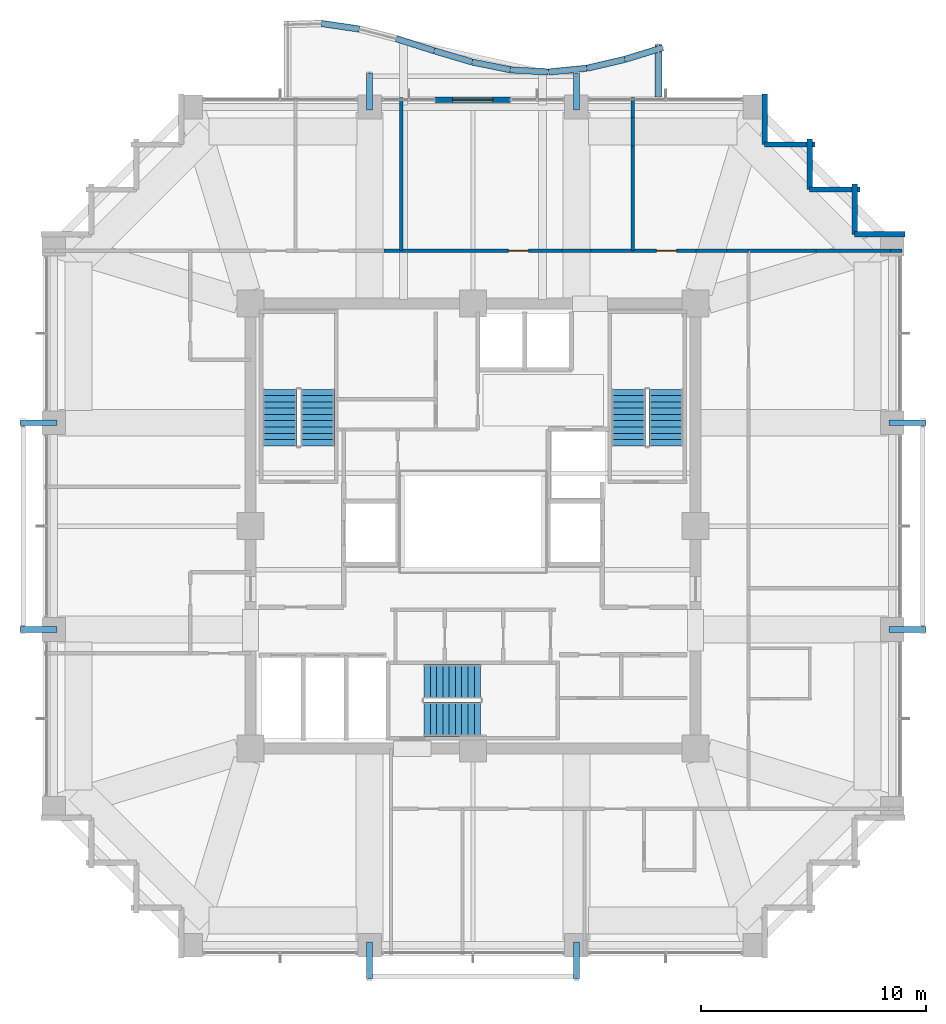
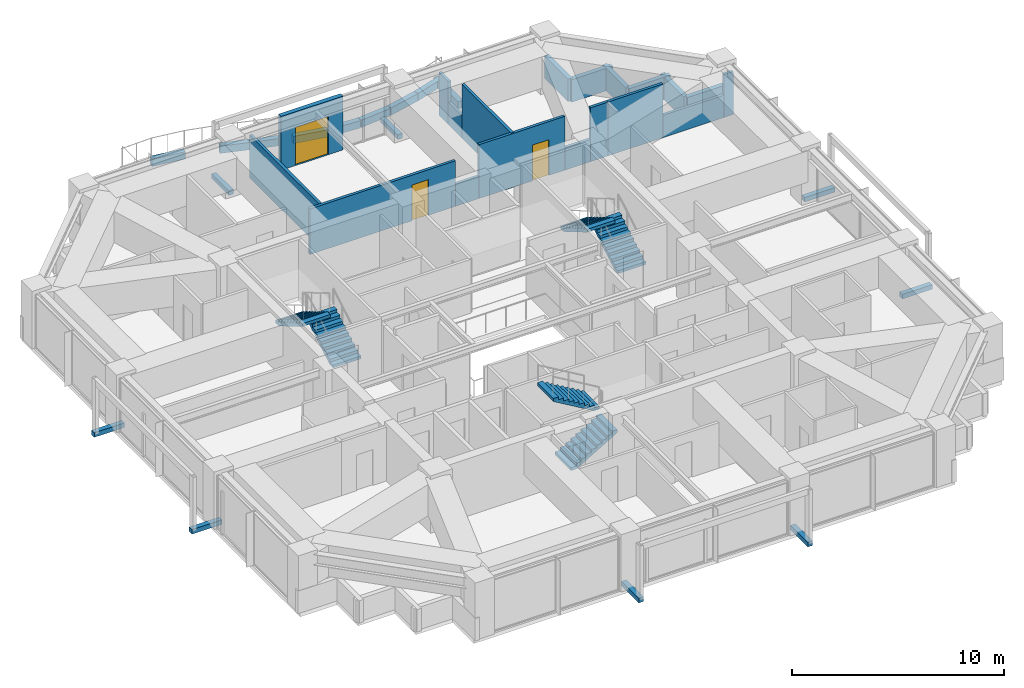
# One storey, part 27 of 28: 28 walls, 8 discrete accessories, 6 stair flights, 3 doors, 3 openings, 3 elements without a shape of their own.
"""IFC4 building model written with IfcOpenShell, lengths in metres."""

from ifc_helpers import new_model, si_unit, direction, frame, frame_2d, origin, origin_2d, place, context, subcontext, project, spatial, polyline, rectangle, outline, extrude, material, layer, layer_set, type_object, element, fill, aggregate, save


model = new_model("IFC4")

# Units and contexts
model_context = context("Model", 3, precision=1e-05, world=origin(), true_north=direction((0.0, 1.0)))
body_context = subcontext(model_context, "Body", "Model", "MODEL_VIEW")
ifc_project = project(units=[si_unit("LENGTHUNIT", "METRE"), si_unit("AREAUNIT", "SQUARE_METRE"), si_unit("VOLUMEUNIT", "CUBIC_METRE"), si_unit("PLANEANGLEUNIT", "RADIAN"), si_unit("MASSUNIT", "GRAM", prefix="KILO")], contexts=[model_context])

# Site, building, storey
site_placement = place(None, origin())
site = spatial("IfcSite", under=ifc_project, at=site_placement, CompositionType="ELEMENT")
building_placement = place(site_placement, origin())
building = spatial("IfcBuilding", under=site, at=building_placement, Name="Kolvaren Belvedere", CompositionType="ELEMENT")
storey_placement = place(building_placement, frame((0.0, 0.0, 125.0)))
storey = spatial("IfcBuildingStorey", under=building, at=storey_placement, Name="L36", CompositionType="ELEMENT", Elevation=125.0)

# Wall, opening, door
ifc_material_1 = material(Name="Gypsum fire-rated partition assembly", Category="gypsum")
ifc_layer_1 = layer(ifc_material_1, 0.14990234375)
ifc_layer_set_1 = layer_set([ifc_layer_1], Name="Gypsum fire-rated partition assembly")
wall_type_1 = type_object("IfcWallType", Name="WL-CORR-150", PredefinedType="PARTITIONING", material=ifc_layer_set_1)
wall_1_placement = place(storey_placement, frame((-3.9580078125, 12.260009765625, 0.0), z_axis=(0.0, 0.0, 1.0), x_axis=(1.0, 0.0, 0.0)))
wall_1 = element("IfcWall", 1, at=wall_1_placement, inside=storey, type_object=wall_type_1, Name="L36 North Corridor Wall", PredefinedType="PARTITIONING", context=body_context, shape_type="SweptSolid", body=[
    extrude(rectangle(XDim=7.916015625, YDim=0.14990234375, at=frame_2d((3.9580078125, 0.0))), origin(), (0.0, 0.0, 1.0), 2.625),
])
opening_1_placement = place(wall_1_placement, frame((5.5380859375, 0.0, 0.0)))
opening_1 = element("IfcOpeningElement", 2, at=opening_1_placement, cuts=wall_1, Name="Opening D-INT90", PredefinedType="OPENING", context=body_context, shape_type="SweptSolid", body=[
    extrude(rectangle(XDim=0.89990234375, YDim=2.06005859375, at=frame_2d((0.449951171875, 1.030029296875))), frame((0.0, 0.0849609375, 0.0), z_axis=(0.0, -1.0, 0.0), x_axis=(1.0, 0.0, 0.0)), (0.0, 0.0, 1.0), 0.169921875),
])
ifc_material_2 = material(Name="Stained Pacific white oak", Category="timber")
door_type_1 = type_object("IfcDoorType", Name="DR-INT-900", OperationType="NOTDEFINED", PredefinedType="DOOR", material=ifc_material_2)
door_1_placement = place(opening_1_placement, origin())
door_1 = element("IfcDoor", 3, at=door_1_placement, inside=storey, type_object=door_type_1, Name="L36 Private Hospitality Meeting Room 3603 Door", OperationType="SINGLE_SWING_LEFT", OverallHeight=2.06005859375, OverallWidth=0.89990234375, PredefinedType="DOOR", context=body_context, shape_type="SweptSolid", body=[
    extrude(rectangle(XDim=0.89990234375, YDim=2.06005859375, at=frame_2d((0.449951171875, 1.030029296875))), frame((0.0, 0.02490234375, 0.0), z_axis=(0.0, -1.0, 0.0), x_axis=(1.0, 0.0, 0.0)), (0.0, 0.0, 1.0), 0.050048828125),
])
fill(opening_1, door_1)

# Wall
wall_2_placement = place(storey_placement, frame((3.9580078125, 12.260009765625, 0.0), z_axis=(0.0, 0.0, 1.0), x_axis=(1.0, 0.0, 0.0)))
element("IfcWall", 4, at=wall_2_placement, inside=storey, type_object=wall_type_1, Name="L36 North Corridor Wall", PredefinedType="PARTITIONING", context=body_context, shape_type="SweptSolid", body=[
    extrude(rectangle(XDim=1.283935546875, YDim=0.14990234375, at=frame_2d((0.64208984375, 0.0))), origin(), (0.0, 0.0, 1.0), 1.284912109375),
])

# Wall, opening, door
wall_3_placement = place(storey_placement, frame((5.241943359375, 12.260009765625, 0.0), z_axis=(0.0, 0.0, 1.0), x_axis=(1.0, 0.0, 0.0)))
wall_3 = element("IfcWall", 5, at=wall_3_placement, inside=storey, type_object=wall_type_1, Name="L36 North Corridor Wall", PredefinedType="PARTITIONING", context=body_context, shape_type="SweptSolid", body=[
    extrude(rectangle(XDim=4.677001953125, YDim=0.14990234375, at=frame_2d((2.33837890625, 0.0))), origin(), (0.0, 0.0, 1.0), 3.10009765625),
])
opening_2_placement = place(wall_3_placement, frame((2.914794921875, 0.0, 0.0)))
opening_2 = element("IfcOpeningElement", 6, at=opening_2_placement, cuts=wall_3, Name="Opening D-INT90", PredefinedType="OPENING", context=body_context, shape_type="SweptSolid", body=[
    extrude(rectangle(XDim=0.89990234375, YDim=2.06005859375, at=frame_2d((0.449951171875, 1.030029296875))), frame((0.0, 0.0849609375, 0.0), z_axis=(0.0, -1.0, 0.0), x_axis=(1.0, 0.0, 0.0)), (0.0, 0.0, 1.0), 0.169921875),
])
door_2_placement = place(opening_2_placement, origin())
door_2 = element("IfcDoor", 7, at=door_2_placement, inside=storey, type_object=door_type_1, Name="L36 Lounge 3604 Door", OperationType="SINGLE_SWING_RIGHT", OverallHeight=2.06005859375, OverallWidth=0.89990234375, PredefinedType="DOOR", context=body_context, shape_type="SweptSolid", body=[
    extrude(rectangle(XDim=0.89990234375, YDim=2.06005859375, at=frame_2d((0.449951171875, 1.030029296875))), frame((0.0, 0.02490234375, 0.0), z_axis=(0.0, -1.0, 0.0), x_axis=(1.0, 0.0, 0.0)), (0.0, 0.0, 1.0), 0.050048828125),
])
fill(opening_2, door_2)

# Walls
wall_4_placement = place(storey_placement, frame((9.9189453125, 12.260009765625, 0.0), z_axis=(0.0, 0.0, 1.0), x_axis=(1.0, 0.0, 0.0)))
element("IfcWall", 8, at=wall_4_placement, inside=storey, type_object=wall_type_1, Name="L36 North Corridor Wall", PredefinedType="PARTITIONING", context=body_context, shape_type="SweptSolid", body=[
    extrude(rectangle(XDim=1.3916015625, YDim=0.14990234375, at=frame_2d((0.69580078125, 0.0))), origin(), (0.0, 0.0, 1.0), 1.284912109375),
])
wall_5_placement = place(storey_placement, frame((11.310546875, 12.260009765625, 0.0), z_axis=(0.0, 0.0, 1.0), x_axis=(1.0, 0.0, 0.0)))
element("IfcWall", 9, at=wall_5_placement, inside=storey, type_object=wall_type_1, Name="L36 North Corridor Wall", PredefinedType="PARTITIONING", context=body_context, shape_type="SweptSolid", body=[
    extrude(rectangle(XDim=0.949462890625, YDim=0.14990234375, at=frame_2d((0.474609375, 0.0))), origin(), (0.0, 0.0, 1.0), 3.10009765625),
])
ifc_material_3 = material(Name="Insulated pale-metal facade wall assembly", Category="aluminium")
ifc_layer_2 = layer(ifc_material_3, 0.239990234375)
ifc_layer_set_2 = layer_set([ifc_layer_2], Name="Insulated pale-metal facade wall assembly")
wall_type_2 = type_object("IfcWallType", Name="WL-EXT-240", PredefinedType="STANDARD", material=ifc_layer_set_2)
for number, where, z_axis, x_axis, name in (
    (10, (16.97998046875, 12.97998046875, 0.0), (0.0, 0.0, 1.0), (1.0, 0.0, 0.0), "L36 Serrated Corner Facade Wall 9"),
    (11, (16.97998046875, 15.219970703125, 0.0), (0.0, 0.0, 1.0), (0.0, -1.0, 0.0), "L36 Serrated Corner Facade Wall 10"),
    (12, (14.97998046875, 14.97998046875, 0.0), (0.0, 0.0, 1.0), (1.0, 0.0, 0.0), "L36 Serrated Corner Facade Wall 11"),
    (13, (14.97998046875, 17.219970703125, 0.0), (0.0, 0.0, 1.0), (0.0, -1.0, 0.0), "L36 Serrated Corner Facade Wall 12"),
    (14, (12.97998046875, 16.97998046875, 0.0), (0.0, 0.0, 1.0), (1.0, 0.0, 0.0), "L36 Serrated Corner Facade Wall 13"),
    (15, (12.97998046875, 19.219970703125, 0.0), (0.0, 0.0, 1.0), (0.0, -1.0, 0.0), "L36 Serrated Corner Facade Wall 14"),
):
    element("IfcWall", number, at=place(storey_placement, frame(where, z_axis=z_axis, x_axis=x_axis)), inside=storey, type_object=wall_type_2, Name=name, PredefinedType="STANDARD", context=body_context, shape_type="SweptSolid", body=[
        extrude(rectangle(XDim=2.239990234375, YDim=0.239990234375, at=frame_2d((1.1201171875, 0.0))), origin(), (0.0, 0.0, 1.0), 1.294921875),
    ])

# Wall, opening, door
wall_6_placement = place(storey_placement, frame((-1.679931640625, 18.97998046875, 0.0), z_axis=(0.0, 0.0, 1.0), x_axis=(1.0, 0.0, 0.0)))
wall_6 = element("IfcWall", 16, at=wall_6_placement, inside=storey, type_object=wall_type_2, Name="L36 North Terrace Portal Wall", PredefinedType="STANDARD", context=body_context, shape_type="SweptSolid", body=[
    extrude(rectangle(XDim=3.35986328125, YDim=0.239990234375, at=frame_2d((1.679931640625, 0.0))), origin(), (0.0, 0.0, 1.0), 3.10009765625),
])
opening_3_placement = place(wall_6_placement, frame((0.780029296875, 0.0, 0.0)))
opening_3 = element("IfcOpeningElement", 17, at=opening_3_placement, cuts=wall_6, Name="Opening DB-1800", PredefinedType="OPENING", context=body_context, shape_type="SweptSolid", body=[
    extrude(rectangle(XDim=1.800048828125, YDim=2.199951171875, at=frame_2d((0.89990234375, 1.10009765625))), frame((0.0, 0.1298828125, 0.0), z_axis=(0.0, -1.0, 0.0), x_axis=(1.0, 0.0, 0.0)), (0.0, 0.0, 1.0), 0.260009765625),
])
ifc_material_4 = material(Name="Thermally broken pale-metal aluminium & low-iron glass", Category="aluminium")
door_type_2 = type_object("IfcDoorType", Name="DR-BAL-1800", OperationType="DOUBLE_DOOR_SLIDING", PredefinedType="DOOR", material=ifc_material_4)
door_3_placement = place(opening_3_placement, origin())
door_3 = element("IfcDoor", 18, at=door_3_placement, inside=storey, type_object=door_type_2, Name="L36 North Planted Terrace Sliding Door", OperationType="DOUBLE_DOOR_SLIDING", OverallHeight=2.199951171875, OverallWidth=1.800048828125, PredefinedType="DOOR", context=body_context, shape_type="SweptSolid", body=[
    extrude(rectangle(XDim=1.800048828125, YDim=2.199951171875, at=frame_2d((0.89990234375, 1.10009765625))), frame((0.0, 0.02490234375, 0.0), z_axis=(0.0, -1.0, 0.0), x_axis=(1.0, 0.0, 0.0)), (0.0, 0.0, 1.0), 0.050048828125),
])
fill(opening_3, door_3)

# Walls
ifc_material_5 = material(Name="Gypsum acoustic partition assembly", Category="gypsum")
ifc_layer_3 = layer(ifc_material_5, 0.14990234375)
ifc_layer_set_3 = layer_set([ifc_layer_3], Name="Gypsum acoustic partition assembly")
wall_type_3 = type_object("IfcWallType", Name="WL-PART-150", PredefinedType="PARTITIONING", material=ifc_layer_set_3)
wall_7_placement = place(storey_placement, frame((12.260009765625, 12.260009765625, 0.0), z_axis=(0.0, 0.0, 1.0), x_axis=(1.0, 0.0, 0.0)))
element("IfcWall", 19, at=wall_7_placement, inside=storey, type_object=wall_type_3, Name="L36 Wing Divider PW-L36-QNE", PredefinedType="PARTITIONING", context=body_context, shape_type="SweptSolid", body=[
    extrude(rectangle(XDim=3.00390625, YDim=0.14990234375, at=frame_2d((1.501953125, 0.0))), origin(), (0.0, 0.0, 1.0), 3.10009765625),
])
wall_8_placement = place(storey_placement, frame((15.263916015625, 12.260009765625, 0.0), z_axis=(0.0, 0.0, 1.0), x_axis=(1.0, 0.0, 0.0)))
element("IfcWall", 20, at=wall_8_placement, inside=storey, type_object=wall_type_3, Name="L36 Wing Divider PW-L36-QNE", PredefinedType="PARTITIONING", context=body_context, shape_type="SweptSolid", body=[
    extrude(rectangle(XDim=3.310791015625, YDim=0.14990234375, at=frame_2d((1.6552734375, 0.0))), origin(), (0.0, 0.0, 1.0), 1.284912109375),
])
wall_9_placement = place(storey_placement, frame((18.57470703125, 12.260009765625, 0.0), z_axis=(0.0, 0.0, 1.0), x_axis=(1.0, 0.0, 0.0)))
element("IfcWall", 21, at=wall_9_placement, inside=storey, type_object=wall_type_3, Name="L36 Wing Divider PW-L36-QNE", PredefinedType="PARTITIONING", context=body_context, shape_type="SweptSolid", body=[
    extrude(rectangle(XDim=0.50537109375, YDim=0.14990234375, at=frame_2d((0.252685546875, 0.0))), origin(), (0.0, 0.0, 1.0), 2.468994140625),
])
wall_10_placement = place(storey_placement, frame((-3.196044921875, 12.260009765625, 0.0), z_axis=(0.0, 0.0, 1.0), x_axis=(0.0, 1.0, 0.0)))
element("IfcWall", 22, at=wall_10_placement, inside=storey, type_object=wall_type_3, Name="L36 North Suite Demising Wall 2", PredefinedType="PARTITIONING", context=body_context, shape_type="SweptSolid", body=[
    extrude(rectangle(XDim=6.820068359375, YDim=0.14990234375, at=frame_2d((3.41015625, 0.0))), origin(), (0.0, 0.0, 1.0), 2.468994140625),
])
wall_11_placement = place(storey_placement, frame((7.10400390625, 12.260009765625, 0.0), z_axis=(0.0, 0.0, 1.0), x_axis=(0.0, 1.0, 0.0)))
element("IfcWall", 23, at=wall_11_placement, inside=storey, type_object=wall_type_3, Name="L36 North Suite Demising Wall 3", PredefinedType="PARTITIONING", context=body_context, shape_type="SweptSolid", body=[
    extrude(rectangle(XDim=4.64794921875, YDim=0.14990234375, at=frame_2d((2.323974609375, 0.0))), origin(), (0.0, 0.0, 1.0), 3.10009765625),
])
wall_12_placement = place(storey_placement, frame((7.10400390625, 16.907958984375, 0.0), z_axis=(0.0, 0.0, 1.0), x_axis=(0.0, 1.0, 0.0)))
element("IfcWall", 24, at=wall_12_placement, inside=storey, type_object=wall_type_3, Name="L36 North Suite Demising Wall 3", PredefinedType="PARTITIONING", context=body_context, shape_type="SweptSolid", body=[
    extrude(rectangle(XDim=1.283935546875, YDim=0.14990234375, at=frame_2d((0.64208984375, 0.0))), origin(), (0.0, 0.0, 1.0), 1.284912109375),
])
wall_13_placement = place(storey_placement, frame((7.10400390625, 18.19189453125, 0.0), z_axis=(0.0, 0.0, 1.0), x_axis=(0.0, 1.0, 0.0)))
element("IfcWall", 25, at=wall_13_placement, inside=storey, type_object=wall_type_3, Name="L36 North Suite Demising Wall 3", PredefinedType="PARTITIONING", context=body_context, shape_type="SweptSolid", body=[
    extrude(rectangle(XDim=0.88818359375, YDim=0.14990234375, at=frame_2d((0.444091796875, 0.0))), origin(), (0.0, 0.0, 1.0), 2.468994140625),
])
ifc_material_6 = material(Name="Precast concrete C40/50", Category="concrete")
ifc_layer_4 = layer(ifc_material_6, 0.300048828125)
ifc_layer_set_4 = layer_set([ifc_layer_4], Name="Precast concrete C40/50")
wall_type_4 = type_object("IfcWallType", Name="WL-PLANTER-300", PredefinedType="PARAPET", material=ifc_layer_set_4)
wall_14_placement = place(storey_placement, frame((8.239990234375, 19.10009765625, -0.0400390625), z_axis=(0.0, 0.0, 1.0), x_axis=(0.0, 1.0, 0.0)))
element("IfcWall", 26, at=wall_14_placement, inside=storey, type_object=wall_type_4, Name="L36 Precast Structural Planter Wall BAL-N-11", PredefinedType="PARAPET", context=body_context, shape_type="SweptSolid", body=[
    extrude(rectangle(XDim=2.33984375, YDim=0.280029296875, at=frame_2d((1.169921875, 0.0))), origin(), (0.0, 0.0, 1.0), 0.419921875),
])
wall_15_placement = place(storey_placement, frame((8.447265625, 21.287109375, -0.0400390625), z_axis=(0.0, 0.0, 1.0), x_axis=(-0.95524013163, -0.295831524561, 0.0)))
element("IfcWall", 27, at=wall_15_placement, inside=storey, type_object=wall_type_4, Name="L36 Precast Structural Planter Wall BAL-N-12", PredefinedType="PARAPET", context=body_context, shape_type="SweptSolid", body=[
    extrude(rectangle(XDim=1.758544921875, YDim=0.280029296875, at=frame_2d((0.87939453125, 0.0))), origin(), (0.0, 0.0, 1.0), 0.419921875),
])
wall_16_placement = place(storey_placement, frame((6.75634765625, 20.763916015625, -0.0400390625), z_axis=(0.0, 0.0, 1.0), x_axis=(-0.973890253884, -0.227019323824, 0.0)))
element("IfcWall", 28, at=wall_16_placement, inside=storey, type_object=wall_type_4, Name="L36 Precast Structural Planter Wall BAL-N-13", PredefinedType="PARAPET", context=body_context, shape_type="SweptSolid", body=[
    extrude(rectangle(XDim=1.724853515625, YDim=0.280029296875, at=frame_2d((0.8623046875, 0.0))), origin(), (0.0, 0.0, 1.0), 0.419921875),
])
wall_17_placement = place(storey_placement, frame((5.0556640625, 20.368896484375, -0.0400390625), z_axis=(0.0, 0.0, 1.0), x_axis=(-0.995152499202, -0.098343801694, 0.0)))
element("IfcWall", 29, at=wall_17_placement, inside=storey, type_object=wall_type_4, Name="L36 Precast Structural Planter Wall BAL-N-14", PredefinedType="PARAPET", context=body_context, shape_type="SweptSolid", body=[
    extrude(rectangle(XDim=1.688232421875, YDim=0.280029296875, at=frame_2d((0.84423828125, 0.0))), origin(), (0.0, 0.0, 1.0), 0.419921875),
])
wall_18_placement = place(storey_placement, frame((3.350341796875, 20.202392578125, -0.0400390625), z_axis=(0.0, 0.0, 1.0), x_axis=(-0.998212296378, 0.059767979379, 0.0)))
element("IfcWall", 30, at=wall_18_placement, inside=storey, type_object=wall_type_4, Name="L36 Precast Structural Planter Wall BAL-N-15", PredefinedType="PARAPET", context=body_context, shape_type="SweptSolid", body=[
    extrude(rectangle(XDim=1.682861328125, YDim=0.280029296875, at=frame_2d((0.84130859375, 0.0))), origin(), (0.0, 0.0, 1.0), 0.419921875),
])
wall_19_placement = place(storey_placement, frame((1.64794921875, 20.305908203125, -0.0400390625), z_axis=(0.0, 0.0, 1.0), x_axis=(-0.979839912937, 0.199784246163, 0.0)))
element("IfcWall", 31, at=wall_19_placement, inside=storey, type_object=wall_type_4, Name="L36 Precast Structural Planter Wall BAL-N-16", PredefinedType="PARAPET", context=body_context, shape_type="SweptSolid", body=[
    extrude(rectangle(XDim=1.714599609375, YDim=0.280029296875, at=frame_2d((0.857421875, 0.0))), origin(), (0.0, 0.0, 1.0), 0.419921875),
])
wall_20_placement = place(storey_placement, frame((-0.045654296875, 20.65185546875, -0.0400390625), z_axis=(0.0, 0.0, 1.0), x_axis=(-0.95856309129, 0.284880325779, 0.0)))
element("IfcWall", 32, at=wall_20_placement, inside=storey, type_object=wall_type_4, Name="L36 Precast Structural Planter Wall BAL-N-17", PredefinedType="PARAPET", context=body_context, shape_type="SweptSolid", body=[
    extrude(rectangle(XDim=1.75244140625, YDim=0.280029296875, at=frame_2d((0.876220703125, 0.0))), origin(), (0.0, 0.0, 1.0), 0.419921875),
])
wall_21_placement = place(storey_placement, frame((-1.728515625, 21.152099609375, -0.0400390625), z_axis=(0.0, 0.0, 1.0), x_axis=(-0.953181954832, 0.302397356111, 0.0)))
element("IfcWall", 33, at=wall_21_placement, inside=storey, type_object=wall_type_4, Name="L36 Precast Structural Planter Wall BAL-N-18", PredefinedType="PARAPET", context=body_context, shape_type="SweptSolid", body=[
    extrude(rectangle(XDim=1.762451171875, YDim=0.280029296875, at=frame_2d((0.88134765625, 0.0))), origin(), (0.0, 0.0, 1.0), 0.419921875),
])
wall_22_placement = place(storey_placement, frame((-5.063232421875, 22.114013671875, -0.0400390625), z_axis=(0.0, 0.0, 1.0), x_axis=(-0.98929818871, 0.145907826437, 0.0)))
element("IfcWall", 34, at=wall_22_placement, inside=storey, type_object=wall_type_4, Name="L36 Precast Structural Planter Wall BAL-N-20", PredefinedType="PARAPET", context=body_context, shape_type="SweptSolid", body=[
    extrude(rectangle(XDim=1.6982421875, YDim=0.280029296875, at=frame_2d((0.84912109375, 0.0))), origin(), (0.0, 0.0, 1.0), 0.419921875),
])

# Stair, stair flights
ifc_material_7 = material(Name="Concrete C50/60", Category="concrete")
stair_type = type_object("IfcStairType", Name="ST-CORE-1520", PredefinedType="HALF_TURN_STAIR", material=ifc_material_7)
stair_1_placement = place(storey_placement, origin())
stair_1 = element("IfcStair", 35, at=stair_1_placement, inside=storey, type_object=stair_type, Name="L36 Protected Exit Stair ST-1", PredefinedType="HALF_TURN_STAIR")
ifc_material_8 = material(Name="Concrete C50/60", Category="concrete")
stair_flight_type = type_object("IfcStairFlightType", Name="SF-STR-1520", PredefinedType="STRAIGHT", material=ifc_material_8)
stair_flight_1_placement = place(storey_placement, frame((-6.919921875, 3.570068359375, 0.0), z_axis=(0.0, 0.0, 1.0), x_axis=(0.0, 1.0, 0.0)))
stair_flight_1 = element("IfcStairFlight", 36, at=stair_flight_1_placement, type_object=stair_flight_type, Name="ST-1 flight 1", NumberOfRisers=10, NumberOfTreads=9, PredefinedType="STRAIGHT", RiserHeight=0.165, TreadLength=0.28, context=body_context, shape_type="SweptSolid", body=[
    extrude(outline(polyline([(0.0, 0.0), (0.0, 0.1650390625), (0.280029296875, 0.1650390625), (0.280029296875, 0.330078125), (0.56005859375, 0.330078125), (0.56005859375, 0.4951171875), (0.840087890625, 0.4951171875), (0.840087890625, 0.659912109375), (1.1201171875, 0.659912109375), (1.1201171875, 0.824951171875), (1.39990234375, 0.824951171875), (1.39990234375, 0.989990234375), (1.679931640625, 0.989990234375), (1.679931640625, 1.155029296875), (1.9599609375, 1.155029296875), (1.9599609375, 1.320068359375), (2.239990234375, 1.320068359375), (2.239990234375, 1.485107421875), (2.52001953125, 1.485107421875), (2.52001953125, 1.64990234375), (2.52001953125, 1.31103515625), (0.295166015625, 0.0), (0.0, 0.0)])), frame((0.0, 0.760009765625, 0.0), z_axis=(0.0, -1.0, 0.0), x_axis=(1.0, 0.0, 0.0)), (0.0, 0.0, 1.0), 1.52001953125),
])
stair_flight_2_placement = place(storey_placement, frame((-8.590087890625, 6.090087890625, 1.64990234375), z_axis=(0.0, 0.0, 1.0), x_axis=(0.0, -1.0, 0.0)))
stair_flight_2 = element("IfcStairFlight", 37, at=stair_flight_2_placement, type_object=stair_flight_type, Name="ST-1 flight 2", NumberOfRisers=10, NumberOfTreads=9, PredefinedType="STRAIGHT", RiserHeight=0.165, TreadLength=0.28, context=body_context, shape_type="SweptSolid", body=[
    extrude(outline(polyline([(0.0, 0.0), (0.0, 0.1650390625), (0.280029296875, 0.1650390625), (0.280029296875, 0.330078125), (0.56005859375, 0.330078125), (0.56005859375, 0.4951171875), (0.840087890625, 0.4951171875), (0.840087890625, 0.659912109375), (1.1201171875, 0.659912109375), (1.1201171875, 0.824951171875), (1.39990234375, 0.824951171875), (1.39990234375, 0.989990234375), (1.679931640625, 0.989990234375), (1.679931640625, 1.155029296875), (1.9599609375, 1.155029296875), (1.9599609375, 1.320068359375), (2.239990234375, 1.320068359375), (2.239990234375, 1.485107421875), (2.52001953125, 1.485107421875), (2.52001953125, 1.64990234375), (2.52001953125, 1.31103515625), (0.295166015625, 0.0), (0.0, 0.0)])), frame((0.0, 0.760009765625, 0.0), z_axis=(0.0, -1.0, 0.0), x_axis=(1.0, 0.0, 0.0)), (0.0, 0.0, 1.0), 1.52001953125),
])
aggregate(stair_1, [stair_flight_1, stair_flight_2])

stair_2_placement = place(storey_placement, origin())
stair_2 = element("IfcStair", 38, at=stair_2_placement, inside=storey, type_object=stair_type, Name="L36 Protected Exit Stair ST-2", PredefinedType="HALF_TURN_STAIR")
stair_flight_3_placement = place(storey_placement, frame((8.590087890625, 3.570068359375, 0.0), z_axis=(0.0, 0.0, 1.0), x_axis=(0.0, 1.0, 0.0)))
stair_flight_3 = element("IfcStairFlight", 39, at=stair_flight_3_placement, type_object=stair_flight_type, Name="ST-2 flight 1", NumberOfRisers=10, NumberOfTreads=9, PredefinedType="STRAIGHT", RiserHeight=0.165, TreadLength=0.28, context=body_context, shape_type="SweptSolid", body=[
    extrude(outline(polyline([(0.0, 0.0), (0.0, 0.1650390625), (0.280029296875, 0.1650390625), (0.280029296875, 0.330078125), (0.56005859375, 0.330078125), (0.56005859375, 0.4951171875), (0.840087890625, 0.4951171875), (0.840087890625, 0.659912109375), (1.1201171875, 0.659912109375), (1.1201171875, 0.824951171875), (1.39990234375, 0.824951171875), (1.39990234375, 0.989990234375), (1.679931640625, 0.989990234375), (1.679931640625, 1.155029296875), (1.9599609375, 1.155029296875), (1.9599609375, 1.320068359375), (2.239990234375, 1.320068359375), (2.239990234375, 1.485107421875), (2.52001953125, 1.485107421875), (2.52001953125, 1.64990234375), (2.52001953125, 1.31103515625), (0.295166015625, 0.0), (0.0, 0.0)])), frame((0.0, 0.760009765625, 0.0), z_axis=(0.0, -1.0, 0.0), x_axis=(1.0, 0.0, 0.0)), (0.0, 0.0, 1.0), 1.52001953125),
])
stair_flight_4_placement = place(storey_placement, frame((6.919921875, 6.090087890625, 1.64990234375), z_axis=(0.0, 0.0, 1.0), x_axis=(0.0, -1.0, 0.0)))
stair_flight_4 = element("IfcStairFlight", 40, at=stair_flight_4_placement, type_object=stair_flight_type, Name="ST-2 flight 2", NumberOfRisers=10, NumberOfTreads=9, PredefinedType="STRAIGHT", RiserHeight=0.165, TreadLength=0.28, context=body_context, shape_type="SweptSolid", body=[
    extrude(outline(polyline([(0.0, 0.0), (0.0, 0.1650390625), (0.280029296875, 0.1650390625), (0.280029296875, 0.330078125), (0.56005859375, 0.330078125), (0.56005859375, 0.4951171875), (0.840087890625, 0.4951171875), (0.840087890625, 0.659912109375), (1.1201171875, 0.659912109375), (1.1201171875, 0.824951171875), (1.39990234375, 0.824951171875), (1.39990234375, 0.989990234375), (1.679931640625, 0.989990234375), (1.679931640625, 1.155029296875), (1.9599609375, 1.155029296875), (1.9599609375, 1.320068359375), (2.239990234375, 1.320068359375), (2.239990234375, 1.485107421875), (2.52001953125, 1.485107421875), (2.52001953125, 1.64990234375), (2.52001953125, 1.31103515625), (0.295166015625, 0.0), (0.0, 0.0)])), frame((0.0, 0.760009765625, 0.0), z_axis=(0.0, -1.0, 0.0), x_axis=(1.0, 0.0, 0.0)), (0.0, 0.0, 1.0), 1.52001953125),
])
aggregate(stair_2, [stair_flight_3, stair_flight_4])

stair_3_placement = place(storey_placement, origin())
stair_3 = element("IfcStair", 41, at=stair_3_placement, inside=storey, type_object=stair_type, Name="L36 Protected Exit Stair ST-3", PredefinedType="HALF_TURN_STAIR")
stair_flight_5_placement = place(storey_placement, frame((-2.179931640625, -8.590087890625, 0.0), z_axis=(0.0, 0.0, 1.0), x_axis=(1.0, 0.0, 0.0)))
stair_flight_5 = element("IfcStairFlight", 42, at=stair_flight_5_placement, type_object=stair_flight_type, Name="ST-3 flight 1", NumberOfRisers=10, NumberOfTreads=9, PredefinedType="STRAIGHT", RiserHeight=0.165, TreadLength=0.28, context=body_context, shape_type="SweptSolid", body=[
    extrude(outline(polyline([(0.0, 0.0), (0.0, 0.1650390625), (0.280029296875, 0.1650390625), (0.280029296875, 0.330078125), (0.56005859375, 0.330078125), (0.56005859375, 0.4951171875), (0.840087890625, 0.4951171875), (0.840087890625, 0.659912109375), (1.1201171875, 0.659912109375), (1.1201171875, 0.824951171875), (1.39990234375, 0.824951171875), (1.39990234375, 0.989990234375), (1.679931640625, 0.989990234375), (1.679931640625, 1.155029296875), (1.9599609375, 1.155029296875), (1.9599609375, 1.320068359375), (2.239990234375, 1.320068359375), (2.239990234375, 1.485107421875), (2.52001953125, 1.485107421875), (2.52001953125, 1.64990234375), (2.52001953125, 1.31103515625), (0.295166015625, 0.0), (0.0, 0.0)])), frame((0.0, 0.760009765625, 0.0), z_axis=(0.0, -1.0, 0.0), x_axis=(1.0, 0.0, 0.0)), (0.0, 0.0, 1.0), 1.52001953125),
])
stair_flight_6_placement = place(storey_placement, frame((0.340087890625, -6.919921875, 1.64990234375), z_axis=(0.0, 0.0, 1.0), x_axis=(-1.0, 0.0, 0.0)))
stair_flight_6 = element("IfcStairFlight", 43, at=stair_flight_6_placement, type_object=stair_flight_type, Name="ST-3 flight 2", NumberOfRisers=10, NumberOfTreads=9, PredefinedType="STRAIGHT", RiserHeight=0.165, TreadLength=0.28, context=body_context, shape_type="SweptSolid", body=[
    extrude(outline(polyline([(0.0, 0.0), (0.0, 0.1650390625), (0.280029296875, 0.1650390625), (0.280029296875, 0.330078125), (0.56005859375, 0.330078125), (0.56005859375, 0.4951171875), (0.840087890625, 0.4951171875), (0.840087890625, 0.659912109375), (1.1201171875, 0.659912109375), (1.1201171875, 0.824951171875), (1.39990234375, 0.824951171875), (1.39990234375, 0.989990234375), (1.679931640625, 0.989990234375), (1.679931640625, 1.155029296875), (1.9599609375, 1.155029296875), (1.9599609375, 1.320068359375), (2.239990234375, 1.320068359375), (2.239990234375, 1.485107421875), (2.52001953125, 1.485107421875), (2.52001953125, 1.64990234375), (2.52001953125, 1.31103515625), (0.295166015625, 0.0), (0.0, 0.0)])), frame((0.0, 0.760009765625, 0.0), z_axis=(0.0, -1.0, 0.0), x_axis=(1.0, 0.0, 0.0)), (0.0, 0.0, 1.0), 1.52001953125),
])
aggregate(stair_3, [stair_flight_5, stair_flight_6])

# Discrete accessories
ifc_material_9 = material(Name="Structural steel ASTM A572 Grade 50", Category="steel")
discrete_accessory_type = type_object("IfcDiscreteAccessoryType", Name="BRK-1 Steel Facade Support Bracket", PredefinedType="BRACKET", material=ifc_material_9)
for number, where, z_axis, x_axis, name in (
    (44, (-4.60009765625, 19.3349609375, -0.169921875), (0.0, 0.0, 1.0), (0.0, 1.0, 0.0), "L36 Picture-Frame Outrigger Cleat Bracket N1"),
    (45, (4.60009765625, 19.3349609375, -0.169921875), (0.0, 0.0, 1.0), (0.0, 1.0, 0.0), "L36 Picture-Frame Outrigger Cleat Bracket N2"),
    (46, (4.60009765625, -19.3349609375, -0.169921875), (0.0, 0.0, 1.0), (0.0, 1.0, 0.0), "L36 Picture-Frame Outrigger Cleat Bracket S1"),
    (47, (-4.60009765625, -19.3349609375, -0.169921875), (0.0, 0.0, 1.0), (0.0, 1.0, 0.0), "L36 Picture-Frame Outrigger Cleat Bracket S2"),
    (48, (19.3349609375, 4.60009765625, -0.169921875), (0.0, 0.0, 1.0), (1.0, 0.0, 0.0), "L36 Picture-Frame Outrigger Cleat Bracket E1"),
    (49, (19.3349609375, -4.60009765625, -0.169921875), (0.0, 0.0, 1.0), (1.0, 0.0, 0.0), "L36 Picture-Frame Outrigger Cleat Bracket E2"),
    (50, (-19.3349609375, -4.60009765625, -0.169921875), (0.0, 0.0, 1.0), (1.0, 0.0, 0.0), "L36 Picture-Frame Outrigger Cleat Bracket W1"),
    (51, (-19.3349609375, 4.60009765625, -0.169921875), (0.0, 0.0, 1.0), (1.0, 0.0, 0.0), "L36 Picture-Frame Outrigger Cleat Bracket W2"),
):
    element("IfcDiscreteAccessory", number, at=place(storey_placement, frame(where, z_axis=z_axis, x_axis=x_axis)), inside=storey, type_object=discrete_accessory_type, Name=name, PredefinedType="BRACKET", context=body_context, shape_type="SweptSolid", body=[
        extrude(rectangle(XDim=1.639892578125, YDim=0.260009765625, at=origin_2d()), origin(), (0.0, 0.0, 1.0), 0.260009765625),
    ])

save(model, "model.ifc")
